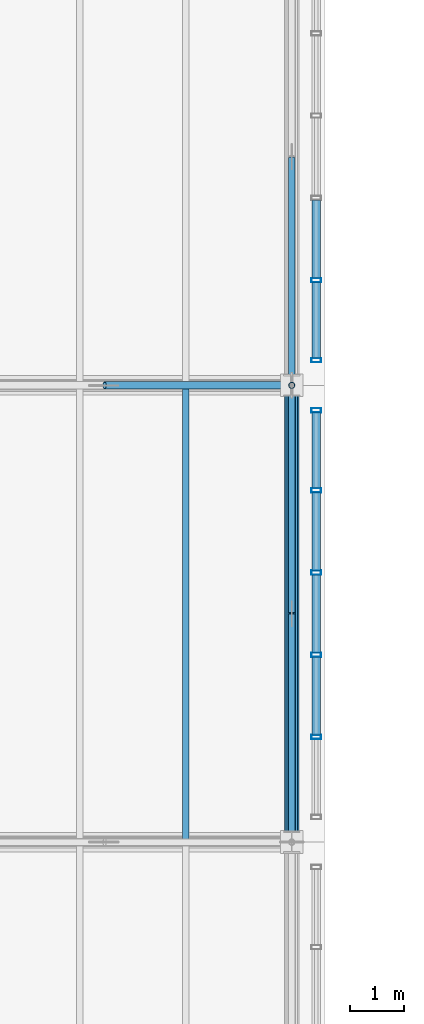
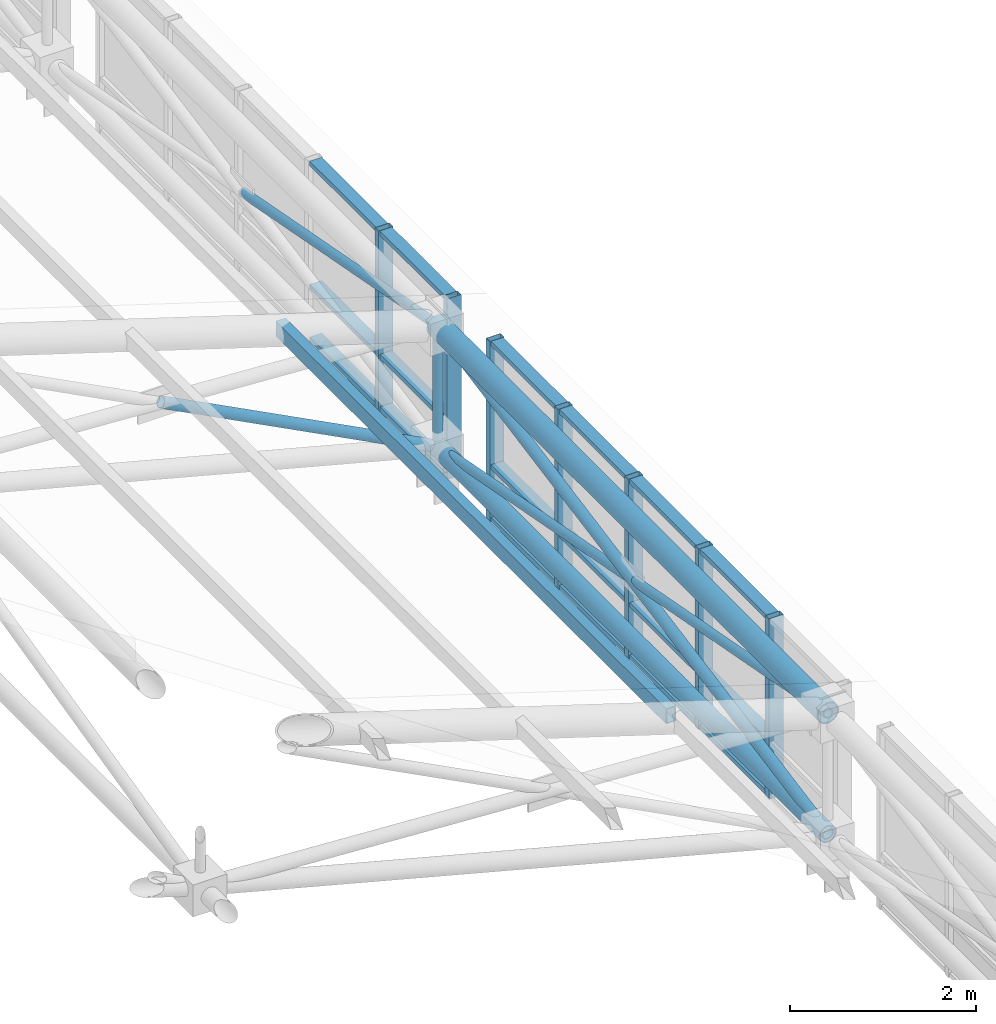
# One storey, part 93 of 144: 34 members, 2 elements without a shape of their own.
"""IFC4 building model written with IfcOpenShell, lengths in metres."""

from ifc_helpers import new_model, si_unit, direction, frame, origin, origin_2d, place, context, subcontext, project, spatial, hollow_rectangle, hollow_circle, extrude, material, layer, layer_set, material_profile, profile_set, type_object, element, aggregate, save


model = new_model("IFC4")

# Units and contexts
model_context = context("Model", 3, precision=1e-05, world=origin(), true_north=direction((0.0, 1.0)))
body_context = subcontext(model_context, "Body", "Model", "MODEL_VIEW")
ifc_project = project(units=[si_unit("LENGTHUNIT", "METRE"), si_unit("AREAUNIT", "SQUARE_METRE"), si_unit("VOLUMEUNIT", "CUBIC_METRE"), si_unit("PLANEANGLEUNIT", "RADIAN"), si_unit("MASSUNIT", "GRAM", prefix="KILO")], contexts=[model_context])

# Site, building, storey
site_placement = place(None, origin())
site = spatial("IfcSite", under=ifc_project, at=site_placement, CompositionType="ELEMENT")
building_placement = place(site_placement, origin())
building = spatial("IfcBuilding", under=site, at=building_placement, Name="Zayran Congress Hotel", CompositionType="ELEMENT")
storey_placement = place(building_placement, frame((0.0, 0.0, 19.199951171875)))
storey = spatial("IfcBuildingStorey", under=building, at=storey_placement, Name="L04", CompositionType="ELEMENT", Elevation=19.199951171875)

# Members
ifc_material_1 = material(Name="Steel S355", Category="steel")
ifc_material_profile_1 = material_profile(ifc_material_1, hollow_circle(Radius=0.136474609375, WallThickness=0.012451171875, at=origin_2d()), Name="CHS 273x12.5")
ifc_profile_set_1 = profile_set([ifc_material_profile_1], Name="Steel S355")
member_type_1 = type_object("IfcMemberType", Name="TP-SF-TC2", PredefinedType="CHORD", material=ifc_profile_set_1)
member_1_placement = place(storey_placement, frame((91.800048828125, 84.39990234375, 2.19140625), z_axis=(0.0, 1.0, 0.0), x_axis=(-1.0, 0.0, 0.0)))
element("IfcMember", 1, at=member_1_placement, inside=storey, type_object=member_type_1, Name="Space Frame Top Chord Y 553", PredefinedType="CHORD", context=body_context, shape_type="SweptSolid", body=[
    extrude(hollow_circle(Radius=0.136474609375, WallThickness=0.012451171875, at=origin_2d()), origin(), (0.0, 0.0, 1.0), 8.400146484375),
])
ifc_material_profile_2 = material_profile(ifc_material_1, hollow_circle(Radius=0.109619140625, WallThickness=0.010009765625, at=origin_2d()), Name="CHS 219.1x10")
ifc_profile_set_2 = profile_set([ifc_material_profile_2], Name="Steel S355")
member_type_2 = type_object("IfcMemberType", Name="TP-SF-BC1", PredefinedType="CHORD", material=ifc_profile_set_2)
member_2_placement = place(storey_placement, frame((91.800048828125, 84.39990234375, 0.60009765625), z_axis=(0.0, 1.0, 0.0), x_axis=(-1.0, 0.0, 0.0)))
element("IfcMember", 2, at=member_2_placement, inside=storey, type_object=member_type_2, Name="Space Frame Bottom Chord Y 554", PredefinedType="CHORD", context=body_context, shape_type="SweptSolid", body=[
    extrude(hollow_circle(Radius=0.109619140625, WallThickness=0.010009765625, at=origin_2d()), origin(), (0.0, 0.0, 1.0), 8.400146484375),
])
ifc_material_profile_3 = material_profile(ifc_material_1, hollow_circle(Radius=0.06982421875, WallThickness=0.00634765625, at=origin_2d()), Name="CHS 139.7x6.3")
ifc_profile_set_3 = profile_set([ifc_material_profile_3], Name="Steel S355")
member_type_3 = type_object("IfcMemberType", Name="TP-SF-DG2", PredefinedType="BRACE", material=ifc_profile_set_3)
member_3_placement = place(storey_placement, frame((88.359130859375, 92.800048828125, 2.387451171875), z_axis=(0.887419803116, 0.0, -0.4609621384), x_axis=(0.0, 1.0, 0.0)))
element("IfcMember", 3, at=member_3_placement, inside=storey, type_object=member_type_3, Name="Space Frame Counter Diagonal X Lower 79", PredefinedType="BRACE", context=body_context, shape_type="SweptSolid", body=[
    extrude(hollow_circle(Radius=0.06982421875, WallThickness=0.00634765625, at=origin_2d()), origin(), (0.0, 0.0, 1.0), 3.87744140625),
])
member_4_placement = place(storey_placement, frame((91.800048828125, 84.39990234375, 0.60009765625), z_axis=(0.0, 0.982525530625, 0.186127863766), x_axis=(-1.0, 0.0, 0.0)))
element("IfcMember", 4, at=member_4_placement, inside=storey, type_object=member_type_3, Name="Space Frame Web Diagonal Y 555", PredefinedType="BRACE", context=body_context, shape_type="SweptSolid", body=[
    extrude(hollow_circle(Radius=0.06982421875, WallThickness=0.00634765625, at=origin_2d()), origin(), (0.0, 0.0, 1.0), 8.549560546875),
])
ifc_material_profile_4 = material_profile(ifc_material_1, hollow_circle(Radius=0.05712890625, WallThickness=0.00634765625, at=origin_2d()), Name="CHS 114.3x6.3")
ifc_profile_set_4 = profile_set([ifc_material_profile_4], Name="Steel S355")
member_type_4 = type_object("IfcMemberType", Name="TP-SF-DG3", PredefinedType="BRACE", material=ifc_profile_set_4)
for number, where, z_axis, x_axis, name in (
    (5, (91.800048828125, 84.39990234375, 2.19140625), (0.0, 0.982520698357, -0.186153370371), (-1.0, 0.0, 0.0), "Space Frame Bracing Diagonal Y Upper 556"),
    (6, (91.800048828125, 88.61474609375, 1.39306640625), (0.0, 0.982520698357, -0.186153370371), (-1.0, 0.0, 0.0), "Space Frame Bracing Diagonal Y Lower 85"),
    (7, (91.800048828125, 92.800048828125, 2.19140625), (0.0, 0.982520698357, -0.186153370371), (-1.0, 0.0, 0.0), "Space Frame Bracing Diagonal Y Upper 561"),
):
    element("IfcMember", number, at=place(storey_placement, frame(where, z_axis=z_axis, x_axis=x_axis)), inside=storey, type_object=member_type_4, Name=name, PredefinedType="BRACE", context=body_context, shape_type="SweptSolid", body=[
        extrude(hollow_circle(Radius=0.05712890625, WallThickness=0.00634765625, at=origin_2d()), origin(), (0.0, 0.0, 1.0), 4.259765625),
    ])
member_5_placement = place(storey_placement, frame((91.800048828125, 92.800048828125, 0.60009765625), z_axis=(0.0, 0.0, 1.0), x_axis=(0.0, 1.0, 0.0)))
element("IfcMember", 8, at=member_5_placement, inside=storey, type_object=member_type_4, Name="Space Frame Web Strut 562", PredefinedType="BRACE", context=body_context, shape_type="SweptSolid", body=[
    extrude(hollow_circle(Radius=0.05712890625, WallThickness=0.00634765625, at=origin_2d()), origin(), (0.0, 0.0, 1.0), 1.59130859375),
])
ifc_material_profile_5 = material_profile(ifc_material_1, hollow_rectangle(XDim=0.1201171875, YDim=0.199951171875, WallThickness=0.008056640625, at=origin_2d()), Name="RHS 200x120x8")
ifc_profile_set_5 = profile_set([ifc_material_profile_5], Name="Steel S355")
member_type_5 = type_object("IfcMemberType", Name="TP-PR-01", PredefinedType="PURLIN", material=ifc_profile_set_5)
member_6_placement = place(storey_placement, frame((89.85009765625, 84.39990234375, 2.8486328125), z_axis=(0.0, 1.0, 0.0), x_axis=(-1.0, 0.0, 0.0)))
element("IfcMember", 9, at=member_6_placement, inside=storey, type_object=member_type_5, Name="MEM-PR-V1-0177", PredefinedType="PURLIN", context=body_context, shape_type="SweptSolid", body=[
    extrude(hollow_rectangle(XDim=0.1201171875, YDim=0.199951171875, WallThickness=0.008056640625, at=origin_2d()), origin(), (0.0, 0.0, 1.0), 8.400146484375),
])

# Curtain wall, members
ifc_material_2 = material(Name="Anodised aluminium and low-E insulated glass", Category="aluminium")
ifc_layer = layer(ifc_material_2, 0.179931640625)
ifc_layer_set = layer_set([ifc_layer], Name="Anodised aluminium and low-E insulated glass")
curtain_wall_type = type_object("IfcCurtainWallType", Name="CW-V1CL-L04-CW-41-7560-2370", PredefinedType="USERDEFINED", material=ifc_layer_set)
curtain_wall_1_placement = place(storey_placement, origin())
curtain_wall_1 = element("IfcCurtainWall", 10, at=curtain_wall_1_placement, inside=storey, type_object=curtain_wall_type, Name="CW-V1CLE-2", ObjectType="CURTAIN WALL", PredefinedType="USERDEFINED")
ifc_material_3 = material(Name="Anodised aluminium framing", Category="aluminium")
ifc_material_profile_6 = material_profile(ifc_material_3, hollow_rectangle(XDim=0.080078125, YDim=0.179931640625, WallThickness=0.0048828125, at=origin_2d()), Name="RHS 180x80x5")
ifc_profile_set_6 = profile_set([ifc_material_profile_6], Name="Anodised aluminium framing")
member_type_6 = type_object("IfcMemberType", Name="TP-CWM-01", PredefinedType="MULLION", material=ifc_profile_set_6)
member_7_placement = place(storey_placement, frame((92.25, 86.33203125, -0.219970703125), z_axis=(0.0, 0.0, 1.0), x_axis=(0.0, 1.0, 0.0)))
member_7 = element("IfcMember", 11, at=member_7_placement, type_object=member_type_6, Name="CW-V1CLE-2-M01", PredefinedType="MULLION", context=body_context, shape_type="SweptSolid", body=[
    extrude(hollow_rectangle(XDim=0.080078125, YDim=0.179931640625, WallThickness=0.0048828125, at=origin_2d()), origin(), (0.0, 0.0, 1.0), 2.3701171875),
])
member_8_placement = place(storey_placement, frame((92.25, 87.843994140625, -0.219970703125), z_axis=(0.0, 0.0, 1.0), x_axis=(0.0, 1.0, 0.0)))
member_8 = element("IfcMember", 12, at=member_8_placement, type_object=member_type_6, Name="CW-V1CLE-2-M02", PredefinedType="MULLION", context=body_context, shape_type="SweptSolid", body=[
    extrude(hollow_rectangle(XDim=0.080078125, YDim=0.179931640625, WallThickness=0.0048828125, at=origin_2d()), origin(), (0.0, 0.0, 1.0), 2.3701171875),
])
member_9_placement = place(storey_placement, frame((92.25, 89.35595703125, -0.219970703125), z_axis=(0.0, 0.0, 1.0), x_axis=(0.0, 1.0, 0.0)))
member_9 = element("IfcMember", 13, at=member_9_placement, type_object=member_type_6, Name="CW-V1CLE-2-M03", PredefinedType="MULLION", context=body_context, shape_type="SweptSolid", body=[
    extrude(hollow_rectangle(XDim=0.080078125, YDim=0.179931640625, WallThickness=0.0048828125, at=origin_2d()), origin(), (0.0, 0.0, 1.0), 2.3701171875),
])
member_10_placement = place(storey_placement, frame((92.25, 90.867919921875, -0.219970703125), z_axis=(0.0, 0.0, 1.0), x_axis=(0.0, 1.0, 0.0)))
member_10 = element("IfcMember", 14, at=member_10_placement, type_object=member_type_6, Name="CW-V1CLE-2-M04", PredefinedType="MULLION", context=body_context, shape_type="SweptSolid", body=[
    extrude(hollow_rectangle(XDim=0.080078125, YDim=0.179931640625, WallThickness=0.0048828125, at=origin_2d()), origin(), (0.0, 0.0, 1.0), 2.3701171875),
])
member_11_placement = place(storey_placement, frame((92.25, 92.340087890625, -0.219970703125), z_axis=(0.0, 0.0, 1.0), x_axis=(0.0, 1.0, 0.0)))
member_11 = element("IfcMember", 15, at=member_11_placement, type_object=member_type_6, Name="CW-V1CLE-2-M05", PredefinedType="MULLION", context=body_context, shape_type="SweptSolid", body=[
    extrude(hollow_rectangle(XDim=0.080078125, YDim=0.179931640625, WallThickness=0.0048828125, at=origin_2d()), origin(), (0.0, 0.0, 1.0), 2.3701171875),
])

curtain_wall_2_placement = place(storey_placement, origin())
curtain_wall_2 = element("IfcCurtainWall", 16, at=curtain_wall_2_placement, inside=storey, type_object=curtain_wall_type, Name="CW-V1CLE-3", ObjectType="CURTAIN WALL", PredefinedType="USERDEFINED")
member_12_placement = place(storey_placement, frame((92.25, 93.260009765625, -0.219970703125), z_axis=(0.0, 0.0, 1.0), x_axis=(0.0, 1.0, 0.0)))
member_12 = element("IfcMember", 17, at=member_12_placement, type_object=member_type_6, Name="CW-V1CLE-3-M00", PredefinedType="MULLION", context=body_context, shape_type="SweptSolid", body=[
    extrude(hollow_rectangle(XDim=0.080078125, YDim=0.179931640625, WallThickness=0.0048828125, at=origin_2d()), origin(), (0.0, 0.0, 1.0), 2.3701171875),
])
member_13_placement = place(storey_placement, frame((92.25, 94.73193359375, -0.219970703125), z_axis=(0.0, 0.0, 1.0), x_axis=(0.0, 1.0, 0.0)))
member_13 = element("IfcMember", 18, at=member_13_placement, type_object=member_type_6, Name="CW-V1CLE-3-M01", PredefinedType="MULLION", context=body_context, shape_type="SweptSolid", body=[
    extrude(hollow_rectangle(XDim=0.080078125, YDim=0.179931640625, WallThickness=0.0048828125, at=origin_2d()), origin(), (0.0, 0.0, 1.0), 2.3701171875),
])

# Member
ifc_material_profile_7 = material_profile(ifc_material_3, hollow_rectangle(XDim=0.06005859375, YDim=0.14990234375, WallThickness=0.00390625, at=origin_2d()), Name="RHS 150x60x4")
ifc_profile_set_7 = profile_set([ifc_material_profile_7], Name="Anodised aluminium framing")
member_type_7 = type_object("IfcMemberType", Name="TP-CWT-01", PredefinedType="USERDEFINED", material=ifc_profile_set_7)
member_14_placement = place(storey_placement, frame((92.25, 86.3720703125, -0.18994140625), z_axis=(0.0, 1.0, 0.0), x_axis=(0.0, 0.0, 1.0)))
member_14 = element("IfcMember", 19, at=member_14_placement, type_object=member_type_7, Name="CW-V1CLE-2-T01-0", ObjectType="TRANSOM", PredefinedType="USERDEFINED", context=body_context, shape_type="SweptSolid", body=[
    extrude(hollow_rectangle(XDim=0.06005859375, YDim=0.14990234375, WallThickness=0.00390625, at=origin_2d()), origin(), (0.0, 0.0, 1.0), 1.431884765625),
])

member_15_placement = place(storey_placement, frame((92.25, 86.3720703125, 0.5), z_axis=(0.0, 1.0, 0.0), x_axis=(0.0, 0.0, 1.0)))
member_15 = element("IfcMember", 20, at=member_15_placement, type_object=member_type_7, Name="CW-V1CLE-2-T01-1", ObjectType="TRANSOM", PredefinedType="USERDEFINED", context=body_context, shape_type="SweptSolid", body=[
    extrude(hollow_rectangle(XDim=0.06005859375, YDim=0.14990234375, WallThickness=0.00390625, at=origin_2d()), origin(), (0.0, 0.0, 1.0), 1.431884765625),
])

member_16_placement = place(storey_placement, frame((92.25, 86.3720703125, 2.1201171875), z_axis=(0.0, 1.0, 0.0), x_axis=(0.0, 0.0, 1.0)))
member_16 = element("IfcMember", 21, at=member_16_placement, type_object=member_type_7, Name="CW-V1CLE-2-T01-2", ObjectType="TRANSOM", PredefinedType="USERDEFINED", context=body_context, shape_type="SweptSolid", body=[
    extrude(hollow_rectangle(XDim=0.06005859375, YDim=0.14990234375, WallThickness=0.00390625, at=origin_2d()), origin(), (0.0, 0.0, 1.0), 1.431884765625),
])

member_17_placement = place(storey_placement, frame((92.25, 87.884033203125, -0.18994140625), z_axis=(0.0, 1.0, 0.0), x_axis=(0.0, 0.0, 1.0)))
member_17 = element("IfcMember", 22, at=member_17_placement, type_object=member_type_7, Name="CW-V1CLE-2-T02-0", ObjectType="TRANSOM", PredefinedType="USERDEFINED", context=body_context, shape_type="SweptSolid", body=[
    extrude(hollow_rectangle(XDim=0.06005859375, YDim=0.14990234375, WallThickness=0.00390625, at=origin_2d()), origin(), (0.0, 0.0, 1.0), 1.431884765625),
])

member_18_placement = place(storey_placement, frame((92.25, 87.884033203125, 0.5), z_axis=(0.0, 1.0, 0.0), x_axis=(0.0, 0.0, 1.0)))
member_18 = element("IfcMember", 23, at=member_18_placement, type_object=member_type_7, Name="CW-V1CLE-2-T02-1", ObjectType="TRANSOM", PredefinedType="USERDEFINED", context=body_context, shape_type="SweptSolid", body=[
    extrude(hollow_rectangle(XDim=0.06005859375, YDim=0.14990234375, WallThickness=0.00390625, at=origin_2d()), origin(), (0.0, 0.0, 1.0), 1.431884765625),
])

member_19_placement = place(storey_placement, frame((92.25, 87.884033203125, 2.1201171875), z_axis=(0.0, 1.0, 0.0), x_axis=(0.0, 0.0, 1.0)))
member_19 = element("IfcMember", 24, at=member_19_placement, type_object=member_type_7, Name="CW-V1CLE-2-T02-2", ObjectType="TRANSOM", PredefinedType="USERDEFINED", context=body_context, shape_type="SweptSolid", body=[
    extrude(hollow_rectangle(XDim=0.06005859375, YDim=0.14990234375, WallThickness=0.00390625, at=origin_2d()), origin(), (0.0, 0.0, 1.0), 1.431884765625),
])

member_20_placement = place(storey_placement, frame((92.25, 89.39599609375, -0.18994140625), z_axis=(0.0, 1.0, 0.0), x_axis=(0.0, 0.0, 1.0)))
member_20 = element("IfcMember", 25, at=member_20_placement, type_object=member_type_7, Name="CW-V1CLE-2-T03-0", ObjectType="TRANSOM", PredefinedType="USERDEFINED", context=body_context, shape_type="SweptSolid", body=[
    extrude(hollow_rectangle(XDim=0.06005859375, YDim=0.14990234375, WallThickness=0.00390625, at=origin_2d()), origin(), (0.0, 0.0, 1.0), 1.431884765625),
])

member_21_placement = place(storey_placement, frame((92.25, 89.39599609375, 0.5), z_axis=(0.0, 1.0, 0.0), x_axis=(0.0, 0.0, 1.0)))
member_21 = element("IfcMember", 26, at=member_21_placement, type_object=member_type_7, Name="CW-V1CLE-2-T03-1", ObjectType="TRANSOM", PredefinedType="USERDEFINED", context=body_context, shape_type="SweptSolid", body=[
    extrude(hollow_rectangle(XDim=0.06005859375, YDim=0.14990234375, WallThickness=0.00390625, at=origin_2d()), origin(), (0.0, 0.0, 1.0), 1.431884765625),
])

member_22_placement = place(storey_placement, frame((92.25, 89.39599609375, 2.1201171875), z_axis=(0.0, 1.0, 0.0), x_axis=(0.0, 0.0, 1.0)))
member_22 = element("IfcMember", 27, at=member_22_placement, type_object=member_type_7, Name="CW-V1CLE-2-T03-2", ObjectType="TRANSOM", PredefinedType="USERDEFINED", context=body_context, shape_type="SweptSolid", body=[
    extrude(hollow_rectangle(XDim=0.06005859375, YDim=0.14990234375, WallThickness=0.00390625, at=origin_2d()), origin(), (0.0, 0.0, 1.0), 1.431884765625),
])

member_23_placement = place(storey_placement, frame((92.25, 90.907958984375, -0.18994140625), z_axis=(0.0, 1.0, 0.0), x_axis=(0.0, 0.0, 1.0)))
member_23 = element("IfcMember", 28, at=member_23_placement, type_object=member_type_7, Name="CW-V1CLE-2-T04-0", ObjectType="TRANSOM", PredefinedType="USERDEFINED", context=body_context, shape_type="SweptSolid", body=[
    extrude(hollow_rectangle(XDim=0.06005859375, YDim=0.14990234375, WallThickness=0.00390625, at=origin_2d()), origin(), (0.0, 0.0, 1.0), 1.39208984375),
])

member_24_placement = place(storey_placement, frame((92.25, 90.907958984375, 0.5), z_axis=(0.0, 1.0, 0.0), x_axis=(0.0, 0.0, 1.0)))
member_24 = element("IfcMember", 29, at=member_24_placement, type_object=member_type_7, Name="CW-V1CLE-2-T04-1", ObjectType="TRANSOM", PredefinedType="USERDEFINED", context=body_context, shape_type="SweptSolid", body=[
    extrude(hollow_rectangle(XDim=0.06005859375, YDim=0.14990234375, WallThickness=0.00390625, at=origin_2d()), origin(), (0.0, 0.0, 1.0), 1.39208984375),
])

member_25_placement = place(storey_placement, frame((92.25, 90.907958984375, 2.1201171875), z_axis=(0.0, 1.0, 0.0), x_axis=(0.0, 0.0, 1.0)))
member_25 = element("IfcMember", 30, at=member_25_placement, type_object=member_type_7, Name="CW-V1CLE-2-T04-2", ObjectType="TRANSOM", PredefinedType="USERDEFINED", context=body_context, shape_type="SweptSolid", body=[
    extrude(hollow_rectangle(XDim=0.06005859375, YDim=0.14990234375, WallThickness=0.00390625, at=origin_2d()), origin(), (0.0, 0.0, 1.0), 1.39208984375),
])

aggregate(curtain_wall_1, [member_7, member_8, member_9, member_10, member_11, member_14, member_15, member_16, member_17, member_18, member_19, member_20, member_21, member_22, member_23, member_24, member_25])

member_26_placement = place(storey_placement, frame((92.25, 93.300048828125, -0.18994140625), z_axis=(0.0, 1.0, 0.0), x_axis=(0.0, 0.0, 1.0)))
member_26 = element("IfcMember", 31, at=member_26_placement, type_object=member_type_7, Name="CW-V1CLE-3-T00-0", ObjectType="TRANSOM", PredefinedType="USERDEFINED", context=body_context, shape_type="SweptSolid", body=[
    extrude(hollow_rectangle(XDim=0.06005859375, YDim=0.14990234375, WallThickness=0.00390625, at=origin_2d()), origin(), (0.0, 0.0, 1.0), 1.391845703125),
])

member_27_placement = place(storey_placement, frame((92.25, 93.300048828125, 0.5), z_axis=(0.0, 1.0, 0.0), x_axis=(0.0, 0.0, 1.0)))
member_27 = element("IfcMember", 32, at=member_27_placement, type_object=member_type_7, Name="CW-V1CLE-3-T00-1", ObjectType="TRANSOM", PredefinedType="USERDEFINED", context=body_context, shape_type="SweptSolid", body=[
    extrude(hollow_rectangle(XDim=0.06005859375, YDim=0.14990234375, WallThickness=0.00390625, at=origin_2d()), origin(), (0.0, 0.0, 1.0), 1.391845703125),
])

member_28_placement = place(storey_placement, frame((92.25, 93.300048828125, 2.1201171875), z_axis=(0.0, 1.0, 0.0), x_axis=(0.0, 0.0, 1.0)))
member_28 = element("IfcMember", 33, at=member_28_placement, type_object=member_type_7, Name="CW-V1CLE-3-T00-2", ObjectType="TRANSOM", PredefinedType="USERDEFINED", context=body_context, shape_type="SweptSolid", body=[
    extrude(hollow_rectangle(XDim=0.06005859375, YDim=0.14990234375, WallThickness=0.00390625, at=origin_2d()), origin(), (0.0, 0.0, 1.0), 1.391845703125),
])

member_29_placement = place(storey_placement, frame((92.25, 94.77197265625, -0.18994140625), z_axis=(0.0, 1.0, 0.0), x_axis=(0.0, 0.0, 1.0)))
member_29 = element("IfcMember", 34, at=member_29_placement, type_object=member_type_7, Name="CW-V1CLE-3-T01-0", ObjectType="TRANSOM", PredefinedType="USERDEFINED", context=body_context, shape_type="SweptSolid", body=[
    extrude(hollow_rectangle(XDim=0.06005859375, YDim=0.14990234375, WallThickness=0.00390625, at=origin_2d()), origin(), (0.0, 0.0, 1.0), 1.43212890625),
])

member_30_placement = place(storey_placement, frame((92.25, 94.77197265625, 0.5), z_axis=(0.0, 1.0, 0.0), x_axis=(0.0, 0.0, 1.0)))
member_30 = element("IfcMember", 35, at=member_30_placement, type_object=member_type_7, Name="CW-V1CLE-3-T01-1", ObjectType="TRANSOM", PredefinedType="USERDEFINED", context=body_context, shape_type="SweptSolid", body=[
    extrude(hollow_rectangle(XDim=0.06005859375, YDim=0.14990234375, WallThickness=0.00390625, at=origin_2d()), origin(), (0.0, 0.0, 1.0), 1.43212890625),
])

member_31_placement = place(storey_placement, frame((92.25, 94.77197265625, 2.1201171875), z_axis=(0.0, 1.0, 0.0), x_axis=(0.0, 0.0, 1.0)))
member_31 = element("IfcMember", 36, at=member_31_placement, type_object=member_type_7, Name="CW-V1CLE-3-T01-2", ObjectType="TRANSOM", PredefinedType="USERDEFINED", context=body_context, shape_type="SweptSolid", body=[
    extrude(hollow_rectangle(XDim=0.06005859375, YDim=0.14990234375, WallThickness=0.00390625, at=origin_2d()), origin(), (0.0, 0.0, 1.0), 1.43212890625),
])

aggregate(curtain_wall_2, [member_12, member_13, member_26, member_27, member_28, member_29, member_30, member_31])

save(model, "model.ifc")
